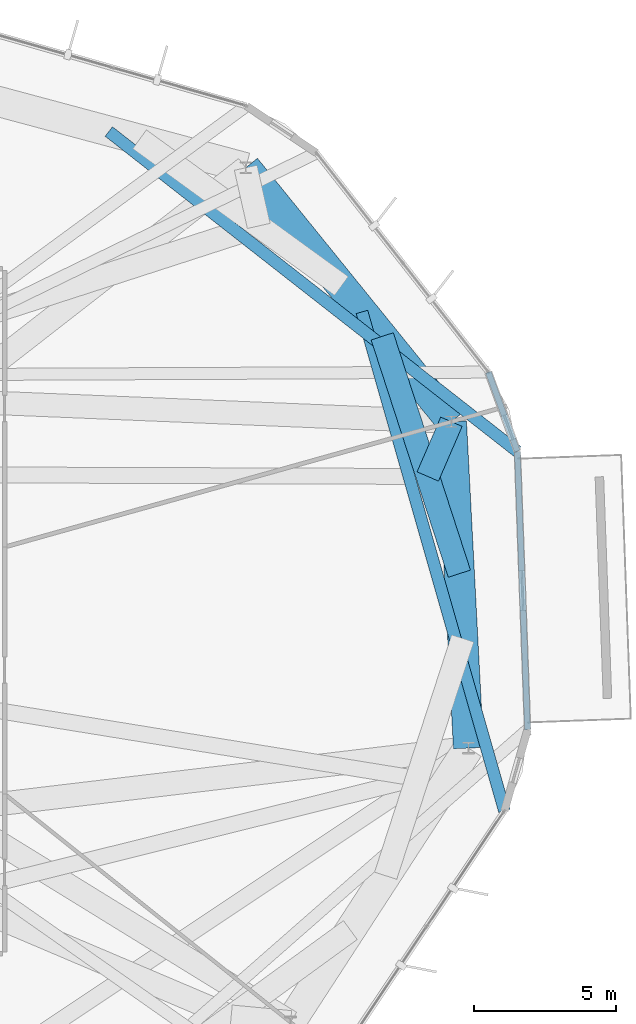
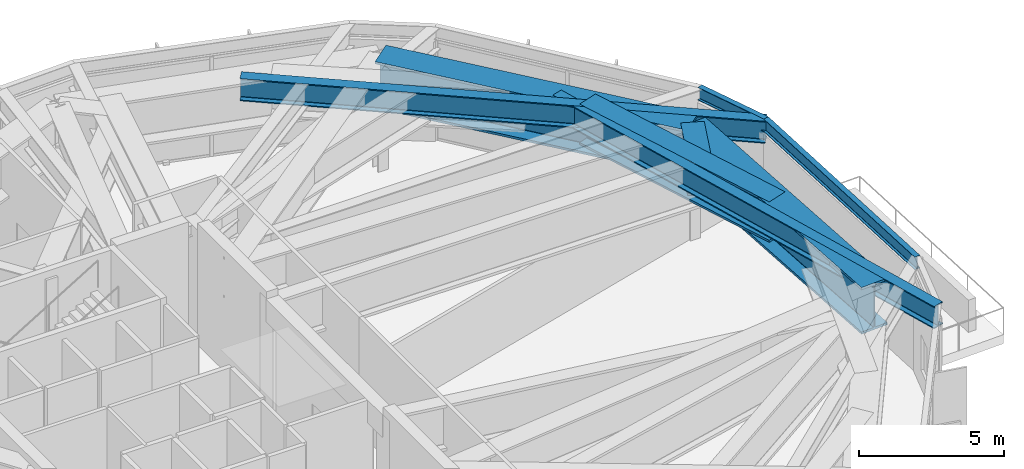
# One storey, part 16 of 30: 8 beams.
"""IFC4 building model written with IfcOpenShell, lengths in metres."""

import ifcopenshell
import ifcopenshell.guid

model = None  # the IFC model being written
_history = None  # IfcOwnerHistory: only IFC2X3 demands one
_inside = {}  # id of a spatial element -> (the spatial element, [elements in it])
_under = {}  # id of a project, library or spatial element -> (it, [spatial elements below it])
_declared = {}  # id of a project -> (the project, [libraries it declares])
_typed = {}  # id of a type object -> (the type object, [elements of that type])
_made_of = {}  # id of a material, layer set ... -> (it, [elements and type objects made of it])


def new_model(schema):
    """Start an empty IFC model of exactly this schema.

    Asked for "IFC4X3", IfcOpenShell would pick the latest addendum, in which some entities
    have other attributes; the version numbers below select the first issue.
    IFC2X3 requires an IfcOwnerHistory on every rooted entity: one is made here for all.
    """
    global model, _history
    if schema == "IFC4X3":
        model = ifcopenshell.file(schema_version=(4, 3, 0, 0))
    else:
        model = ifcopenshell.file(schema=schema)
    _inside.clear()
    _under.clear()
    _declared.clear()
    _typed.clear()
    _made_of.clear()
    _history = None
    if model.schema == "IFC2X3":
        org = make("IfcOrganization", Name="unknown")
        user = make(
            "IfcPersonAndOrganization",
            ThePerson=make("IfcPerson", FamilyName="unknown"),
            TheOrganization=org,
        )
        app = make(
            "IfcApplication",
            ApplicationDeveloper=org,
            Version="unknown",
            ApplicationFullName="unknown",
            ApplicationIdentifier="unknown",
        )
        _history = make(
            "IfcOwnerHistory",
            OwningUser=user,
            OwningApplication=app,
            ChangeAction="ADDED",
            CreationDate=0,
        )
    return model


def make(cls, **values):
    """One entity of the class cls with the attributes given. An attribute that is None is left unset."""
    return model.create_entity(
        cls, **{name: value for name, value in values.items() if value is not None}
    )


def rooted(cls, **values):
    """An entity with a GlobalId (a new one), such as an element, a storey or a relation."""
    return make(cls, GlobalId=ifcopenshell.guid.new(), OwnerHistory=_history, **values)


def si_unit(unit_type, name, prefix=None):
    """IfcSIUnit, for example si_unit("LENGTHUNIT", "METRE", prefix="MILLI")."""
    return make("IfcSIUnit", UnitType=unit_type, Prefix=prefix, Name=name)


def assignment(units):
    """IfcUnitAssignment: the units of a project."""
    return None if units is None else make("IfcUnitAssignment", Units=units)


def point(xyz):
    """IfcCartesianPoint."""
    return None if xyz is None else make("IfcCartesianPoint", Coordinates=xyz)


def direction(xyz):
    """IfcDirection."""
    return None if xyz is None else make("IfcDirection", DirectionRatios=xyz)


def frame(location, z_axis=None, x_axis=None):
    """IfcAxis2Placement3D, a coordinate frame: its origin and axes. An axis left out is left unset."""
    return make(
        "IfcAxis2Placement3D",
        Location=point(location),
        Axis=direction(z_axis),
        RefDirection=direction(x_axis),
    )


def frame_2d(location, x_axis=None):
    """IfcAxis2Placement2D, a coordinate frame in the plane: its origin and x axis."""
    return make(
        "IfcAxis2Placement2D", Location=point(location), RefDirection=direction(x_axis)
    )


def origin():
    """The frame at (0, 0, 0) with its axes left unset."""
    return frame((0.0, 0.0, 0.0))


def origin_2d():
    """The frame at (0, 0) in the plane with its x axis left unset."""
    return frame_2d((0.0, 0.0))


def place(relative_to, where):
    """IfcLocalPlacement: puts the frame where relative to a parent placement (None: the world)."""
    return make(
        "IfcLocalPlacement", PlacementRelTo=relative_to, RelativePlacement=where
    )


def context(
    kind, dimensions, precision=None, world=None, true_north=None, identifier=None
):
    """IfcGeometricRepresentationContext, for example the 3D "Model" context."""
    return make(
        "IfcGeometricRepresentationContext",
        ContextIdentifier=identifier,
        ContextType=kind,
        CoordinateSpaceDimension=dimensions,
        Precision=precision,
        WorldCoordinateSystem=world,
        TrueNorth=true_north,
    )


def subcontext(parent, identifier, kind, view, scale=None):
    """IfcGeometricRepresentationSubContext, for example "Body" below "Model"."""
    return make(
        "IfcGeometricRepresentationSubContext",
        ContextIdentifier=identifier,
        ContextType=kind,
        ParentContext=parent,
        TargetScale=scale,
        TargetView=view,
    )


def project(units=None, contexts=None):
    """IfcProject with its units and contexts."""
    return rooted(
        "IfcProject",
        Name="project",
        RepresentationContexts=contexts,
        UnitsInContext=assignment(units),
    )


def spatial(cls, under=None, at=None, **own):
    """A site, building, storey or space (cls), placed at a placement, below another one or the project."""
    s = rooted(cls, ObjectPlacement=at, **own)
    if under is not None:
        _under.setdefault(under.id(), (under, []))[1].append(s)
    return s


def profile(cls, at=None, kind="AREA", **sizes):
    """A parametric profile (cls). Its sizes go by their IFC names, for example OverallWidth=200.0."""
    return make(cls, ProfileType=kind, Position=at, **sizes)


def i_section(**sizes):
    """IfcIShapeProfileDef."""
    return profile("IfcIShapeProfileDef", **sizes)


def extrude(swept, where, along, depth):
    """IfcExtrudedAreaSolid: the profile swept, set in the frame where, extruded along a direction by depth."""
    return make(
        "IfcExtrudedAreaSolid",
        SweptArea=swept,
        Position=where,
        ExtrudedDirection=direction(along),
        Depth=depth,
    )


def shape(context_of_items, identifier, shape_type, items):
    """IfcShapeRepresentation: the items that make up one representation, for example the "Body"."""
    return make(
        "IfcShapeRepresentation",
        ContextOfItems=context_of_items,
        RepresentationIdentifier=identifier,
        RepresentationType=shape_type,
        Items=items,
    )


def material(Name=None, Category=None):
    """IfcMaterial."""
    return make("IfcMaterial", Name=Name, Category=Category)


def material_profile(
    of_material, cross_section, Name=None, Category=None, Priority=None
):
    """IfcMaterialProfile: a cross section and its material."""
    return make(
        "IfcMaterialProfile",
        Name=Name,
        Material=of_material,
        Profile=cross_section,
        Priority=Priority,
        Category=Category,
    )


def profile_set(profiles, Name=None, composite=None):
    """IfcMaterialProfileSet."""
    return make(
        "IfcMaterialProfileSet",
        Name=Name,
        MaterialProfiles=profiles,
        CompositeProfile=composite,
    )


def made_of(thing, what):
    """Note that an element or type object is made of a material, layer set ...; save() writes the relation."""
    if what is not None:
        _made_of.setdefault(what.id(), (what, []))[1].append(thing)
    return thing


def type_object(cls, material=None, **own):
    """A type object (cls), such as IfcWallType, which elements share."""
    return made_of(rooted(cls, **own), material)


def element(
    cls,
    number,
    at=None,
    inside=None,
    cuts=None,
    type_object=None,
    material=None,
    context=None,
    identifier="Body",
    shape_type=None,
    held_by="IfcProductDefinitionShape",
    body=None,
    shapes=None,
    **own,
):
    """One element of the class cls, such as IfcWall. Its Tag is "e" and its number.

    at: its placement. inside: the storey or other place that contains it. cuts: it is an
    opening in that element (IfcRelVoidsElement). A single representation is given by context,
    identifier, shape_type and body (its items); several are given by shapes. held_by: the class
    of the entity that holds the representations. save() writes the other relations.
    """
    e = rooted(cls, Tag="e%d" % number, ObjectPlacement=at, **own)
    if body is not None:
        shapes = [shape(context, identifier, shape_type, body)]
    if shapes is not None:
        e.Representation = make(held_by, Representations=shapes)
    if inside is not None:
        _inside.setdefault(inside.id(), (inside, []))[1].append(e)
    if cuts is not None:
        rooted(
            "IfcRelVoidsElement", RelatingBuildingElement=cuts, RelatedOpeningElement=e
        )
    if type_object is not None:
        _typed.setdefault(type_object.id(), (type_object, []))[1].append(e)
    return made_of(e, material)


def aggregate(whole, parts):
    """IfcRelAggregates: a whole, such as a stair, and the parts it consists of."""
    return rooted("IfcRelAggregates", RelatingObject=whole, RelatedObjects=parts)


def save(model, path):
    """Write the relations noted so far, then the file.

    IfcRelAggregates (storeys below a building ...), IfcRelContainedInSpatialStructure (elements
    in a storey), IfcRelDefinesByType, IfcRelAssociatesMaterial and IfcRelDeclares: one each for
    every whole, place, type object, material and project.
    """
    for whole, parts in _under.values():
        aggregate(whole, parts)
    for where, things in _inside.values():
        rooted(
            "IfcRelContainedInSpatialStructure",
            RelatedElements=things,
            RelatingStructure=where,
        )
    for kind, things in _typed.values():
        rooted("IfcRelDefinesByType", RelatedObjects=things, RelatingType=kind)
    for what, things in _made_of.values():
        rooted("IfcRelAssociatesMaterial", RelatedObjects=things, RelatingMaterial=what)
    for by, libraries in _declared.values():
        rooted("IfcRelDeclares", RelatingContext=by, RelatedDefinitions=libraries)
    model.write(path)


model = new_model("IFC4")

# Units and contexts
model_context = context("Model", 3, precision=1e-05, world=origin(), true_north=direction((0.0, 1.0)))
body_context = subcontext(model_context, "Body", "Model", "MODEL_VIEW")
ifc_project = project(units=[si_unit("LENGTHUNIT", "METRE"), si_unit("AREAUNIT", "SQUARE_METRE"), si_unit("VOLUMEUNIT", "CUBIC_METRE"), si_unit("PLANEANGLEUNIT", "RADIAN"), si_unit("MASSUNIT", "GRAM", prefix="KILO")], contexts=[model_context])

# Site, building, storey
site_placement = place(None, origin())
site = spatial("IfcSite", under=ifc_project, at=site_placement, CompositionType="ELEMENT")
building_placement = place(site_placement, origin())
building = spatial("IfcBuilding", under=site, at=building_placement, Name="Soratama Intermodal Tower", CompositionType="ELEMENT")
storey_placement = place(building_placement, frame((0.0, 0.0, 237.39990234375)))
storey = spatial("IfcBuildingStorey", under=building, at=storey_placement, Name="L60", CompositionType="ELEMENT", Elevation=237.39990234375)

# Beams
ifc_material_1 = material(Name="Structural steel ASTM A992 Grade 50", Category="steel")
ifc_material_profile_1 = material_profile(ifc_material_1, i_section(OverallWidth=0.423095703125, OverallDepth=0.93896484375, WebThickness=0.02392578125, FlangeThickness=0.042724609375, FilletRadius=0.02392578125, at=origin_2d()), Name="W36X302")
ifc_profile_set_1 = profile_set([ifc_material_profile_1], Name="Structural steel ASTM A992 Grade 50")
beam_type_1 = type_object("IfcBeamType", Name="BM-POD-W36X302", PredefinedType="BEAM", material=ifc_profile_set_1)
beam_1_placement = place(storey_placement, frame((59.217041015625, 35.528076171875, 4.33056640625), z_axis=(0.274729961963, -0.961521423578, 0.0), x_axis=(0.961521423578, 0.274729961963, 0.0)))
element("IfcBeam", 1, at=beam_1_placement, inside=storey, type_object=beam_type_1, Name="BM-L60-TIE1-08", PredefinedType="BEAM", context=body_context, shape_type="SweptSolid", body=[
    extrude(i_section(OverallWidth=0.423095703125, OverallDepth=0.93896484375, WebThickness=0.02392578125, FlangeThickness=0.042724609375, FilletRadius=0.02392578125, at=origin_2d()), origin(), (0.0, 0.0, 1.0), 18.250244140625),
])
beam_2_placement = place(storey_placement, frame((50.31396484375, 41.8740234375, 4.33056640625), z_axis=(0.787403364734, -0.616438108171, 0.0), x_axis=(0.616438108171, 0.787403364734, 0.0)))
element("IfcBeam", 2, at=beam_2_placement, inside=storey, type_object=beam_type_1, Name="BM-L60-TIE1-09", PredefinedType="BEAM", context=body_context, shape_type="SweptSolid", body=[
    extrude(i_section(OverallWidth=0.423095703125, OverallDepth=0.93896484375, WebThickness=0.02392578125, FlangeThickness=0.042724609375, FilletRadius=0.02392578125, at=origin_2d()), origin(), (0.0, 0.0, 1.0), 18.25),
])
ifc_material_2 = material(Name="Structural steel ASTM A992 Grade 50", Category="steel")
ifc_material_profile_2 = material_profile(ifc_material_2, i_section(OverallWidth=0.2099609375, OverallDepth=0.537109375, WebThickness=0.010986328125, FlangeThickness=0.017333984375, FilletRadius=0.012939453125, at=origin_2d()), Name="W21X68")
ifc_profile_set_2 = profile_set([ifc_material_profile_2], Name="Structural steel ASTM A992 Grade 50")
beam_type_2 = type_object("IfcBeamType", Name="BM-SPN-W21X68", PredefinedType="SPANDREL", material=ifc_profile_set_2)
beam_3_placement = place(storey_placement, frame((65.04296875, 20.8330078125, 4.531494140625), z_axis=(-0.036630098552, 0.999328892748, 0.0), x_axis=(-0.999328892748, -0.036630098552, 0.0)))
element("IfcBeam", 3, at=beam_3_placement, inside=storey, type_object=beam_type_2, Name="BS-L60-F09", PredefinedType="SPANDREL", context=body_context, shape_type="SweptSolid", body=[
    extrude(i_section(OverallWidth=0.2099609375, OverallDepth=0.537109375, WebThickness=0.010986328125, FlangeThickness=0.017333984375, FilletRadius=0.012939453125, at=origin_2d()), origin(), (0.0, 0.0, 1.0), 9.797607421875),
])
beam_4_placement = place(storey_placement, frame((64.68408203125, 30.6240234375, 4.531494140625), z_axis=(-0.343526648587, 0.93914292933, 0.0), x_axis=(-0.93914292933, -0.343526648587, 0.0)))
element("IfcBeam", 4, at=beam_4_placement, inside=storey, type_object=beam_type_2, Name="BS-L60-CRN09", PredefinedType="SPANDREL", context=body_context, shape_type="SweptSolid", body=[
    extrude(i_section(OverallWidth=0.2099609375, OverallDepth=0.537109375, WebThickness=0.010986328125, FlangeThickness=0.017333984375, FilletRadius=0.012939453125, at=origin_2d()), origin(), (0.0, 0.0, 1.0), 2.96630859375),
])
ifc_material_3 = material(Name="Structural steel ASTM A992 Grade 50", Category="steel")
ifc_material_profile_3 = material_profile(ifc_material_3, i_section(OverallWidth=0.820068359375, OverallDepth=1.699951171875, WebThickness=0.053955078125, FlangeThickness=0.087890625, FilletRadius=0.02392578125, at=origin_2d()), Name="PG1580X800")
ifc_profile_set_3 = profile_set([ifc_material_profile_3], Name="Structural steel ASTM A992 Grade 50")
beam_type_3 = type_object("IfcBeamType", Name="BM-ZSTEP-PG1580", PredefinedType="BEAM", material=ifc_profile_set_3)
beam_5_placement = place(storey_placement, frame((62.64501953125, 26.322021484375, 3.9501953125), z_axis=(-0.309125697729, 0.951021189566, 0.0), x_axis=(-0.951021189566, -0.309125697729, 0.0)))
element("IfcBeam", 5, at=beam_5_placement, inside=storey, type_object=beam_type_3, Name="BM-L60-ZCHORD-01", PredefinedType="BEAM", context=body_context, shape_type="SweptSolid", body=[
    extrude(i_section(OverallWidth=0.820068359375, OverallDepth=1.699951171875, WebThickness=0.053955078125, FlangeThickness=0.087890625, FilletRadius=0.02392578125, at=origin_2d()), origin(), (0.0, 0.0, 1.0), 8.77685546875),
])
ifc_material_4 = material(Name="Structural steel ASTM A992 Grade 50", Category="steel")
ifc_material_profile_4 = material_profile(ifc_material_4, i_section(OverallWidth=0.820068359375, OverallDepth=1.60205078125, WebThickness=0.055908203125, FlangeThickness=0.092041015625, FilletRadius=0.02392578125, at=origin_2d()), Name="PG1600X650")
ifc_profile_set_4 = profile_set([ifc_material_profile_4], Name="Structural steel ASTM A992 Grade 50")
beam_type_4 = type_object("IfcBeamType", Name="BM-ZSTEP-PG1600", PredefinedType="BEAM", material=ifc_profile_set_4)
beam_6_placement = place(storey_placement, frame((62.364990234375, 31.666015625, 3.9990234375), z_axis=(-0.396349029487, -0.918099911134, 0.0), x_axis=(0.918099911134, -0.396349029487, 0.0)))
element("IfcBeam", 6, at=beam_6_placement, inside=storey, type_object=beam_type_4, Name="BM-L60-ZSTEP-A01", PredefinedType="BEAM", context=body_context, shape_type="SweptSolid", body=[
    extrude(i_section(OverallWidth=0.820068359375, OverallDepth=1.60205078125, WebThickness=0.055908203125, FlangeThickness=0.092041015625, FilletRadius=0.02392578125, at=origin_2d()), origin(), (0.0, 0.0, 1.0), 2.0966796875),
])
ifc_material_5 = material(Name="Structural steel ASTM A992 Grade 50", Category="steel")
ifc_material_profile_5 = material_profile(ifc_material_5, i_section(OverallWidth=1.06005859375, OverallDepth=1.9599609375, WebThickness=0.05810546875, FlangeThickness=0.095947265625, FilletRadius=0.02392578125, at=origin_2d()), Name="PG2400X900")
ifc_profile_set_5 = profile_set([ifc_material_profile_5], Name="Structural steel ASTM A992 Grade 50")
beam_type_5 = type_object("IfcBeamType", Name="BM-ZSTEP-PG2400", PredefinedType="BEAM", material=ifc_profile_set_5)
for number, where, z_axis, x_axis, name in (
    (7, (62.364990234375, 31.666015625, 3.820068359375), (-0.629384551156, 0.777094001242, 0.0), (-0.777094001242, -0.629384551156, 0.0), "BM-L60-RING-01"),
    (8, (62.966064453125, 20.18603515625, 3.820068359375), (-0.052286849724, 0.998632107108, 0.0), (-0.998632107108, -0.052286849724, 0.0), "BM-L60-RING-10"),
):
    element("IfcBeam", number, at=place(storey_placement, frame(where, z_axis=z_axis, x_axis=x_axis)), inside=storey, type_object=beam_type_5, Name=name, PredefinedType="BEAM", context=body_context, shape_type="SweptSolid", body=[
        extrude(i_section(OverallWidth=1.06005859375, OverallDepth=1.9599609375, WebThickness=0.05810546875, FlangeThickness=0.095947265625, FilletRadius=0.02392578125, at=origin_2d()), origin(), (0.0, 0.0, 1.0), 11.49560546875),
    ])

save(model, "model.ifc")
